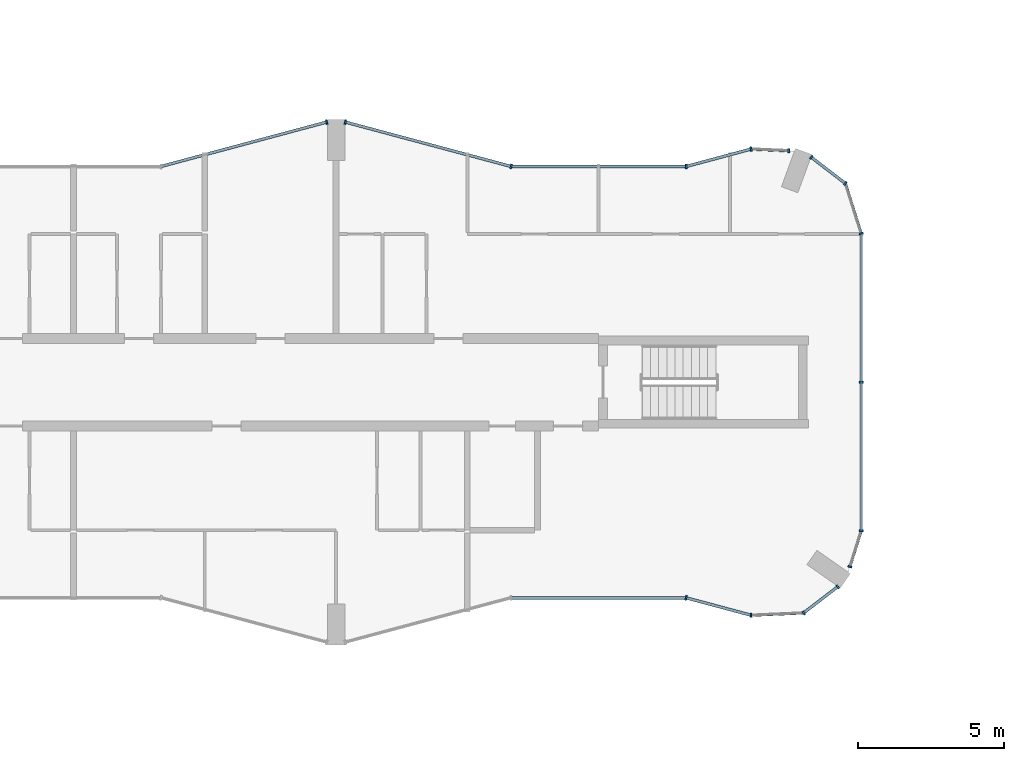
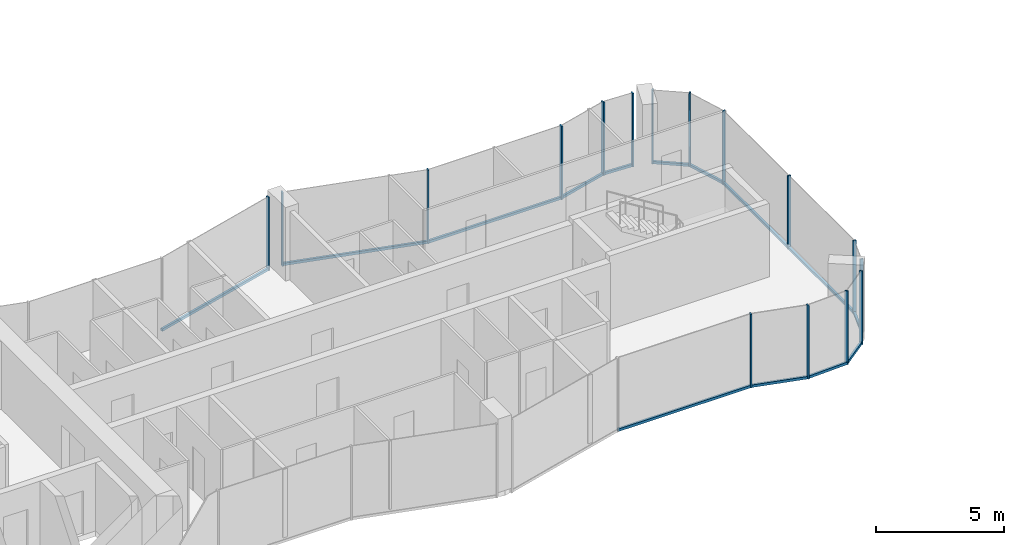
# One storey, part 5 of 23: 29 members, 13 elements without a shape of their own.
"""IFC4 building model written with IfcOpenShell, lengths in metres."""

from ifc_helpers import new_model, si_unit, direction, frame, origin, origin_2d, place, context, subcontext, project, spatial, rectangle, extrude, material, layer, layer_set, material_profile, profile_set, type_object, element, aggregate, save


model = new_model("IFC4")

# Units and contexts
model_context = context("Model", 3, precision=1e-05, world=origin(), true_north=direction((0.0, 1.0)))
body_context = subcontext(model_context, "Body", "Model", "MODEL_VIEW")
ifc_project = project(units=[si_unit("LENGTHUNIT", "METRE"), si_unit("AREAUNIT", "SQUARE_METRE"), si_unit("VOLUMEUNIT", "CUBIC_METRE"), si_unit("PLANEANGLEUNIT", "RADIAN"), si_unit("MASSUNIT", "GRAM", prefix="KILO")], contexts=[model_context])

# Site, building, storey
site_placement = place(None, origin())
site = spatial("IfcSite", under=ifc_project, at=site_placement, CompositionType="ELEMENT")
building_placement = place(site_placement, origin())
building = spatial("IfcBuilding", under=site, at=building_placement, Name="Plateau Cross Towers", CompositionType="ELEMENT")
storey_placement = place(building_placement, frame((0.0, 0.0, 37.300048828125)))
storey = spatial("IfcBuildingStorey", under=building, at=storey_placement, Name="L08", CompositionType="ELEMENT", Elevation=37.300048828125)

# Curtain wall, member
ifc_material_1 = material(Name="Dark low-iron glass", Category="glass")
ifc_layer_1 = layer(ifc_material_1, 0.239990234375)
ifc_layer_set_1 = layer_set([ifc_layer_1], Name="Dark low-iron glass")
curtain_wall_type_1 = type_object("IfcCurtainWallType", Name="Curtain wall flush unitised CW-B", PredefinedType="NOTDEFINED", material=ifc_layer_set_1)
curtain_wall_1_placement = place(storey_placement, origin())
curtain_wall_1 = element("IfcCurtainWall", 1, at=curtain_wall_1_placement, inside=storey, type_object=curtain_wall_type_1, Name="ENV/A/L08/A502_10", PredefinedType="NOTDEFINED")
ifc_material_2 = material(Name="Black anodised aluminium", Category="aluminium")
ifc_material_profile_1 = material_profile(ifc_material_2, rectangle(XDim=0.06005859375, YDim=0.139892578125, at=origin_2d()), Name="MULLION 60x140")
ifc_profile_set_1 = profile_set([ifc_material_profile_1], Name="Black anodised aluminium")
member_type_1 = type_object("IfcMemberType", Name="Mullion 60x140 flush unitised", PredefinedType="MULLION", material=ifc_profile_set_1)
member_1_placement = place(storey_placement, frame((50.223876953125, 1.01123046875, -0.25), z_axis=(0.0, 0.0, 1.0), x_axis=(0.999043701491, 0.043722791671, 0.0)))
member_1 = element("IfcMember", 2, at=member_1_placement, type_object=member_type_1, Name="CW-B mullion 1", PredefinedType="MULLION", context=body_context, shape_type="SweptSolid", body=[
    extrude(rectangle(XDim=0.06005859375, YDim=0.139892578125, at=origin_2d()), origin(), (0.0, 0.0, 1.0), 3.5),
])

# Curtain wall, members
curtain_wall_2_placement = place(storey_placement, origin())
curtain_wall_2 = element("IfcCurtainWall", 3, at=curtain_wall_2_placement, inside=storey, type_object=curtain_wall_type_1, Name="ENV/A/L08/A520_11", PredefinedType="NOTDEFINED")
member_2_placement = place(storey_placement, frame((52.0263671875, 1.090087890625, -0.25), z_axis=(0.0, 0.0, 1.0), x_axis=(0.793315514529, 0.608810721331, 0.0)))
member_2 = element("IfcMember", 4, at=member_2_placement, type_object=member_type_1, Name="CW-B mullion 1", PredefinedType="MULLION", context=body_context, shape_type="SweptSolid", body=[
    extrude(rectangle(XDim=0.06005859375, YDim=0.139892578125, at=origin_2d()), origin(), (0.0, 0.0, 1.0), 3.5),
])
member_3_placement = place(storey_placement, frame((53.193603515625, 1.986083984375, -0.25), z_axis=(0.0, 0.0, 1.0), x_axis=(0.793315514529, 0.608810721331, 0.0)))
member_3 = element("IfcMember", 5, at=member_3_placement, type_object=member_type_1, Name="CW-B mullion 2", PredefinedType="MULLION", context=body_context, shape_type="SweptSolid", body=[
    extrude(rectangle(XDim=0.06005859375, YDim=0.139892578125, at=origin_2d()), origin(), (0.0, 0.0, 1.0), 3.5),
])

# Curtain wall, member
curtain_wall_3_placement = place(storey_placement, origin())
curtain_wall_3 = element("IfcCurtainWall", 6, at=curtain_wall_3_placement, inside=storey, type_object=curtain_wall_type_1, Name="ENV/A/L08/A536_27", PredefinedType="NOTDEFINED")
member_4_placement = place(storey_placement, frame((53.611083984375, 2.67529296875, -0.25), z_axis=(0.0, 0.0, 1.0), x_axis=(0.300686174994, 0.95372313811, 0.0)))
member_4 = element("IfcMember", 7, at=member_4_placement, type_object=member_type_1, Name="CW-B mullion 1", PredefinedType="MULLION", context=body_context, shape_type="SweptSolid", body=[
    extrude(rectangle(XDim=0.06005859375, YDim=0.139892578125, at=origin_2d()), origin(), (0.0, 0.0, 1.0), 3.5),
])

# Curtain wall, members
curtain_wall_4_placement = place(storey_placement, origin())
curtain_wall_4 = element("IfcCurtainWall", 8, at=curtain_wall_4_placement, inside=storey, type_object=curtain_wall_type_1, Name="ENV/A/L08/A540_39", PredefinedType="NOTDEFINED")
member_5_placement = place(storey_placement, frame((54.0, 3.9091796875, -0.25), z_axis=(0.0, 0.0, 1.0), x_axis=(0.0, 1.0, 0.0)))
member_5 = element("IfcMember", 9, at=member_5_placement, type_object=member_type_1, Name="CW-B mullion 1", PredefinedType="MULLION", context=body_context, shape_type="SweptSolid", body=[
    extrude(rectangle(XDim=0.06005859375, YDim=0.139892578125, at=origin_2d()), origin(), (0.0, 0.0, 1.0), 3.5),
])
member_6_placement = place(storey_placement, frame((54.0, 9.0, -0.25), z_axis=(0.0, 0.0, 1.0), x_axis=(0.0, 1.0, 0.0)))
member_6 = element("IfcMember", 10, at=member_6_placement, type_object=member_type_1, Name="CW-B mullion 2", PredefinedType="MULLION", context=body_context, shape_type="SweptSolid", body=[
    extrude(rectangle(XDim=0.06005859375, YDim=0.139892578125, at=origin_2d()), origin(), (0.0, 0.0, 1.0), 3.5),
])

# Curtain wall, member
curtain_wall_5_placement = place(storey_placement, origin())
curtain_wall_5 = element("IfcCurtainWall", 11, at=curtain_wall_5_placement, inside=storey, type_object=curtain_wall_type_1, Name="ENV/A/L08/A540_141", PredefinedType="NOTDEFINED")
member_7_placement = place(storey_placement, frame((54.0, 14.0908203125, -0.25), z_axis=(0.0, 0.0, 1.0), x_axis=(-0.300686174994, 0.95372313811, 0.0)))
member_7 = element("IfcMember", 12, at=member_7_placement, type_object=member_type_1, Name="CW-B mullion 1", PredefinedType="MULLION", context=body_context, shape_type="SweptSolid", body=[
    extrude(rectangle(XDim=0.06005859375, YDim=0.139892578125, at=origin_2d()), origin(), (0.0, 0.0, 1.0), 3.5),
])

# Curtain wall, members
curtain_wall_6_placement = place(storey_placement, origin())
curtain_wall_6 = element("IfcCurtainWall", 13, at=curtain_wall_6_placement, inside=storey, type_object=curtain_wall_type_1, Name="ENV/A/L08/A535_158", PredefinedType="NOTDEFINED")
member_8_placement = place(storey_placement, frame((53.45751953125, 15.8115234375, -0.25), z_axis=(0.0, 0.0, 1.0), x_axis=(-0.793315514529, 0.608810721331, 0.0)))
member_8 = element("IfcMember", 14, at=member_8_placement, type_object=member_type_1, Name="CW-B mullion 1", PredefinedType="MULLION", context=body_context, shape_type="SweptSolid", body=[
    extrude(rectangle(XDim=0.06005859375, YDim=0.139892578125, at=origin_2d()), origin(), (0.0, 0.0, 1.0), 3.5),
])
member_9_placement = place(storey_placement, frame((52.290283203125, 16.707275390625, -0.25), z_axis=(0.0, 0.0, 1.0), x_axis=(-0.793315514529, 0.608810721331, 0.0)))
member_9 = element("IfcMember", 15, at=member_9_placement, type_object=member_type_1, Name="CW-B mullion 2", PredefinedType="MULLION", context=body_context, shape_type="SweptSolid", body=[
    extrude(rectangle(XDim=0.06005859375, YDim=0.139892578125, at=origin_2d()), origin(), (0.0, 0.0, 1.0), 3.5),
])

# Curtain wall, member
curtain_wall_7_placement = place(storey_placement, origin())
curtain_wall_7 = element("IfcCurtainWall", 16, at=curtain_wall_7_placement, inside=storey, type_object=curtain_wall_type_1, Name="ENV/A/L08/A515_169", PredefinedType="NOTDEFINED")
member_10_placement = place(storey_placement, frame((51.516357421875, 16.93212890625, -0.25), z_axis=(0.0, 0.0, 1.0), x_axis=(-0.999043701491, 0.043722791671, 0.0)))
member_10 = element("IfcMember", 17, at=member_10_placement, type_object=member_type_1, Name="CW-B mullion 1", PredefinedType="MULLION", context=body_context, shape_type="SweptSolid", body=[
    extrude(rectangle(XDim=0.06005859375, YDim=0.139892578125, at=origin_2d()), origin(), (0.0, 0.0, 1.0), 3.5),
])

ifc_layer_2 = layer(ifc_material_1, 0.260009765625)
ifc_layer_set_2 = layer_set([ifc_layer_2], Name="Dark low-iron glass")
curtain_wall_type_2 = type_object("IfcCurtainWallType", Name="Curtain wall fluted unitised CW-A", PredefinedType="NOTDEFINED", material=ifc_layer_set_2)
curtain_wall_8_placement = place(storey_placement, origin())
curtain_wall_8 = element("IfcCurtainWall", 18, at=curtain_wall_8_placement, inside=storey, type_object=curtain_wall_type_2, Name="ENV/A/L08/A480_16", PredefinedType="NOTDEFINED")
ifc_material_profile_2 = material_profile(ifc_material_2, rectangle(XDim=0.06005859375, YDim=0.159912109375, at=origin_2d()), Name="MULLION 60x160")
ifc_profile_set_2 = profile_set([ifc_material_profile_2], Name="Black anodised aluminium")
member_type_2 = type_object("IfcMemberType", Name="Mullion 60x160 fluted unitised", PredefinedType="MULLION", material=ifc_profile_set_2)
member_11_placement = place(storey_placement, frame((48.0, 1.60693359375, -0.25), z_axis=(0.0, 0.0, 1.0), x_axis=(0.965957962328, -0.258699081978, 0.0)))
member_11 = element("IfcMember", 19, at=member_11_placement, type_object=member_type_2, Name="CW-A mullion 1", PredefinedType="MULLION", context=body_context, shape_type="SweptSolid", body=[
    extrude(rectangle(XDim=0.06005859375, YDim=0.159912109375, at=origin_2d()), origin(), (0.0, 0.0, 1.0), 3.5),
])

curtain_wall_9_placement = place(storey_placement, origin())
curtain_wall_9 = element("IfcCurtainWall", 20, at=curtain_wall_9_placement, inside=storey, type_object=curtain_wall_type_2, Name="ENV/A/L08/A502_170", PredefinedType="NOTDEFINED")
member_12_placement = place(storey_placement, frame((50.223876953125, 16.98876953125, -0.25), z_axis=(0.0, 0.0, 1.0), x_axis=(-0.965957962328, -0.258699081978, 0.0)))
member_12 = element("IfcMember", 21, at=member_12_placement, type_object=member_type_2, Name="CW-A mullion 1", PredefinedType="MULLION", context=body_context, shape_type="SweptSolid", body=[
    extrude(rectangle(XDim=0.06005859375, YDim=0.159912109375, at=origin_2d()), origin(), (0.0, 0.0, 1.0), 3.5),
])

curtain_wall_10_placement = place(storey_placement, origin())
curtain_wall_10 = element("IfcCurtainWall", 22, at=curtain_wall_10_placement, inside=storey, type_object=curtain_wall_type_2, Name="ENV/A/L08/A480_164", PredefinedType="NOTDEFINED")
member_13_placement = place(storey_placement, frame((48.0, 16.39306640625, -0.25), z_axis=(0.0, 0.0, 1.0), x_axis=(-1.0, 0.0, 0.0)))
member_13 = element("IfcMember", 23, at=member_13_placement, type_object=member_type_2, Name="CW-A mullion 1", PredefinedType="MULLION", context=body_context, shape_type="SweptSolid", body=[
    extrude(rectangle(XDim=0.06005859375, YDim=0.159912109375, at=origin_2d()), origin(), (0.0, 0.0, 1.0), 3.5),
])

# Curtain wall, members
curtain_wall_11_placement = place(storey_placement, origin())
curtain_wall_11 = element("IfcCurtainWall", 24, at=curtain_wall_11_placement, inside=storey, type_object=curtain_wall_type_2, Name="ENV/A/L08/A420_164", PredefinedType="NOTDEFINED")
member_14_placement = place(storey_placement, frame((42.0, 16.39306640625, -0.25), z_axis=(0.0, 0.0, 1.0), x_axis=(-0.965957983404, 0.258699003279, 0.0)))
member_14 = element("IfcMember", 25, at=member_14_placement, type_object=member_type_2, Name="CW-A mullion 1", PredefinedType="MULLION", context=body_context, shape_type="SweptSolid", body=[
    extrude(rectangle(XDim=0.06005859375, YDim=0.159912109375, at=origin_2d()), origin(), (0.0, 0.0, 1.0), 3.5),
])
member_15_placement = place(storey_placement, frame((36.31787109375, 17.914794921875, -0.25), z_axis=(0.0, 0.0, 1.0), x_axis=(-0.965957983404, 0.258699003279, 0.0)))
member_15 = element("IfcMember", 26, at=member_15_placement, type_object=member_type_2, Name="CW-A mullion 2", PredefinedType="MULLION", context=body_context, shape_type="SweptSolid", body=[
    extrude(rectangle(XDim=0.06005859375, YDim=0.159912109375, at=origin_2d()), origin(), (0.0, 0.0, 1.0), 3.5),
])

# Curtain wall, member
curtain_wall_12_placement = place(storey_placement, origin())
curtain_wall_12 = element("IfcCurtainWall", 27, at=curtain_wall_12_placement, inside=storey, type_object=curtain_wall_type_2, Name="ENV/A/L08/A357_179", PredefinedType="NOTDEFINED")
member_16_placement = place(storey_placement, frame((35.68212890625, 17.914794921875, -0.25), z_axis=(0.0, 0.0, 1.0), x_axis=(-0.965957983404, -0.258699003279, 0.0)))
member_16 = element("IfcMember", 28, at=member_16_placement, type_object=member_type_2, Name="CW-A mullion 1", PredefinedType="MULLION", context=body_context, shape_type="SweptSolid", body=[
    extrude(rectangle(XDim=0.06005859375, YDim=0.159912109375, at=origin_2d()), origin(), (0.0, 0.0, 1.0), 3.5),
])

# Member
ifc_material_profile_3 = material_profile(ifc_material_2, rectangle(XDim=0.10009765625, YDim=0.1201171875, at=origin_2d()), Name="TRANSOM 100x120")
ifc_profile_set_3 = profile_set([ifc_material_profile_3], Name="Black anodised aluminium")
member_type_3 = type_object("IfcMemberType", Name="Transom 100x120 flush unitised", PredefinedType="USERDEFINED", material=ifc_profile_set_3)
member_17_placement = place(storey_placement, frame((50.223876953125, 1.01123046875, -0.18994140625), z_axis=(0.999044377355, 0.043707345779, 0.0), x_axis=(-0.043707345779, 0.999044377355, 0.0)))
member_17 = element("IfcMember", 29, at=member_17_placement, type_object=member_type_3, Name="CW-B transom", ObjectType="TRANSOM", PredefinedType="USERDEFINED", context=body_context, shape_type="SweptSolid", body=[
    extrude(rectangle(XDim=0.10009765625, YDim=0.1201171875, at=origin_2d()), origin(), (0.0, 0.0, 1.0), 1.80419921875),
])

aggregate(curtain_wall_1, [member_1, member_17])

member_18_placement = place(storey_placement, frame((52.0263671875, 1.090087890625, -0.18994140625), z_axis=(0.793240368515, 0.608908628415, 0.0), x_axis=(-0.608908628415, 0.793240368515, 0.0)))
member_18 = element("IfcMember", 30, at=member_18_placement, type_object=member_type_3, Name="CW-B transom", ObjectType="TRANSOM", PredefinedType="USERDEFINED", context=body_context, shape_type="SweptSolid", body=[
    extrude(rectangle(XDim=0.10009765625, YDim=0.1201171875, at=origin_2d()), origin(), (0.0, 0.0, 1.0), 1.471435546875),
])

aggregate(curtain_wall_2, [member_2, member_3, member_18])

member_19_placement = place(storey_placement, frame((53.611083984375, 2.67529296875, -0.18994140625), z_axis=(0.300616528216, 0.953745093284, 0.0), x_axis=(-0.953745093284, 0.300616528216, 0.0)))
member_19 = element("IfcMember", 31, at=member_19_placement, type_object=member_type_3, Name="CW-B transom", ObjectType="TRANSOM", PredefinedType="USERDEFINED", context=body_context, shape_type="SweptSolid", body=[
    extrude(rectangle(XDim=0.10009765625, YDim=0.1201171875, at=origin_2d()), origin(), (0.0, 0.0, 1.0), 1.293701171875),
])

aggregate(curtain_wall_3, [member_4, member_19])

member_20_placement = place(storey_placement, frame((54.0, 3.9091796875, -0.18994140625), z_axis=(0.0, 1.0, 0.0), x_axis=(-1.0, 0.0, 0.0)))
member_20 = element("IfcMember", 32, at=member_20_placement, type_object=member_type_3, Name="CW-B transom", ObjectType="TRANSOM", PredefinedType="USERDEFINED", context=body_context, shape_type="SweptSolid", body=[
    extrude(rectangle(XDim=0.10009765625, YDim=0.1201171875, at=origin_2d()), origin(), (0.0, 0.0, 1.0), 10.181640625),
])

aggregate(curtain_wall_4, [member_5, member_6, member_20])

member_21_placement = place(storey_placement, frame((54.0, 14.0908203125, -0.18994140625), z_axis=(-0.30067799945, 0.953725715626, 0.0), x_axis=(-0.953725715626, -0.30067799945, 0.0)))
member_21 = element("IfcMember", 33, at=member_21_placement, type_object=member_type_3, Name="CW-B transom", ObjectType="TRANSOM", PredefinedType="USERDEFINED", context=body_context, shape_type="SweptSolid", body=[
    extrude(rectangle(XDim=0.10009765625, YDim=0.1201171875, at=origin_2d()), origin(), (0.0, 0.0, 1.0), 1.80419921875),
])

aggregate(curtain_wall_5, [member_7, member_21])

member_22_placement = place(storey_placement, frame((53.45751953125, 15.8115234375, -0.18994140625), z_axis=(-0.793320508571, 0.608804213751, 0.0), x_axis=(-0.608804213751, -0.793320508571, 0.0)))
member_22 = element("IfcMember", 34, at=member_22_placement, type_object=member_type_3, Name="CW-B transom", ObjectType="TRANSOM", PredefinedType="USERDEFINED", context=body_context, shape_type="SweptSolid", body=[
    extrude(rectangle(XDim=0.10009765625, YDim=0.1201171875, at=origin_2d()), origin(), (0.0, 0.0, 1.0), 1.471435546875),
])

aggregate(curtain_wall_6, [member_8, member_9, member_22])

member_23_placement = place(storey_placement, frame((51.516357421875, 16.93212890625, -0.18994140625), z_axis=(-0.999041144614, 0.043781175963, 0.0), x_axis=(-0.043781175963, -0.999041144614, 0.0)))
member_23 = element("IfcMember", 35, at=member_23_placement, type_object=member_type_3, Name="CW-B transom", ObjectType="TRANSOM", PredefinedType="USERDEFINED", context=body_context, shape_type="SweptSolid", body=[
    extrude(rectangle(XDim=0.10009765625, YDim=0.1201171875, at=origin_2d()), origin(), (0.0, 0.0, 1.0), 1.293701171875),
])

aggregate(curtain_wall_7, [member_10, member_23])

# Curtain wall, member
curtain_wall_13_placement = place(storey_placement, origin())
curtain_wall_13 = element("IfcCurtainWall", 36, at=curtain_wall_13_placement, inside=storey, type_object=curtain_wall_type_2, Name="ENV/A/L08/A420_16", PredefinedType="NOTDEFINED")
ifc_material_profile_4 = material_profile(ifc_material_2, rectangle(XDim=0.10009765625, YDim=0.1201171875, at=origin_2d()), Name="TRANSOM 100x120")
ifc_profile_set_4 = profile_set([ifc_material_profile_4], Name="Black anodised aluminium")
member_type_4 = type_object("IfcMemberType", Name="Transom 100x120 fluted unitised", PredefinedType="USERDEFINED", material=ifc_profile_set_4)
member_24_placement = place(storey_placement, frame((42.0, 1.60693359375, -0.18994140625), z_axis=(1.0, 0.0, 0.0), x_axis=(0.0, 1.0, 0.0)))
member_24 = element("IfcMember", 37, at=member_24_placement, type_object=member_type_4, Name="CW-A transom", ObjectType="TRANSOM", PredefinedType="USERDEFINED", context=body_context, shape_type="SweptSolid", body=[
    extrude(rectangle(XDim=0.10009765625, YDim=0.1201171875, at=origin_2d()), origin(), (0.0, 0.0, 1.0), 6.0),
])
aggregate(curtain_wall_13, [member_24])

# Member
member_25_placement = place(storey_placement, frame((48.0, 1.60693359375, -0.18994140625), z_axis=(0.965945685136, -0.258744919501, 0.0), x_axis=(0.258744919501, 0.965945685136, 0.0)))
member_25 = element("IfcMember", 38, at=member_25_placement, type_object=member_type_4, Name="CW-A transom", ObjectType="TRANSOM", PredefinedType="USERDEFINED", context=body_context, shape_type="SweptSolid", body=[
    extrude(rectangle(XDim=0.10009765625, YDim=0.1201171875, at=origin_2d()), origin(), (0.0, 0.0, 1.0), 2.30224609375),
])

aggregate(curtain_wall_8, [member_11, member_25])

member_26_placement = place(storey_placement, frame((50.223876953125, 16.98876953125, -0.18994140625), z_axis=(-0.965945685136, -0.258744919501, 0.0), x_axis=(0.258744919501, -0.965945685136, 0.0)))
member_26 = element("IfcMember", 39, at=member_26_placement, type_object=member_type_4, Name="CW-A transom", ObjectType="TRANSOM", PredefinedType="USERDEFINED", context=body_context, shape_type="SweptSolid", body=[
    extrude(rectangle(XDim=0.10009765625, YDim=0.1201171875, at=origin_2d()), origin(), (0.0, 0.0, 1.0), 2.30224609375),
])

aggregate(curtain_wall_9, [member_12, member_26])

member_27_placement = place(storey_placement, frame((48.0, 16.39306640625, -0.18994140625), z_axis=(-1.0, 0.0, 0.0), x_axis=(0.0, -1.0, 0.0)))
member_27 = element("IfcMember", 40, at=member_27_placement, type_object=member_type_4, Name="CW-A transom", ObjectType="TRANSOM", PredefinedType="USERDEFINED", context=body_context, shape_type="SweptSolid", body=[
    extrude(rectangle(XDim=0.10009765625, YDim=0.1201171875, at=origin_2d()), origin(), (0.0, 0.0, 1.0), 6.0),
])

aggregate(curtain_wall_10, [member_13, member_27])

member_28_placement = place(storey_placement, frame((42.0, 16.39306640625, -0.18994140625), z_axis=(-0.965959534794, 0.258693210465, 0.0), x_axis=(-0.258693210465, -0.965959534794, 0.0)))
member_28 = element("IfcMember", 41, at=member_28_placement, type_object=member_type_4, Name="CW-A transom", ObjectType="TRANSOM", PredefinedType="USERDEFINED", context=body_context, shape_type="SweptSolid", body=[
    extrude(rectangle(XDim=0.10009765625, YDim=0.1201171875, at=origin_2d()), origin(), (0.0, 0.0, 1.0), 5.88232421875),
])

aggregate(curtain_wall_11, [member_14, member_15, member_28])

member_29_placement = place(storey_placement, frame((35.68212890625, 17.914794921875, -0.18994140625), z_axis=(-0.965959534794, -0.258693210465, 0.0), x_axis=(0.258693210465, -0.965959534794, 0.0)))
member_29 = element("IfcMember", 42, at=member_29_placement, type_object=member_type_4, Name="CW-A transom", ObjectType="TRANSOM", PredefinedType="USERDEFINED", context=body_context, shape_type="SweptSolid", body=[
    extrude(rectangle(XDim=0.10009765625, YDim=0.1201171875, at=origin_2d()), origin(), (0.0, 0.0, 1.0), 5.88232421875),
])

aggregate(curtain_wall_12, [member_16, member_29])

save(model, "model.ifc")
